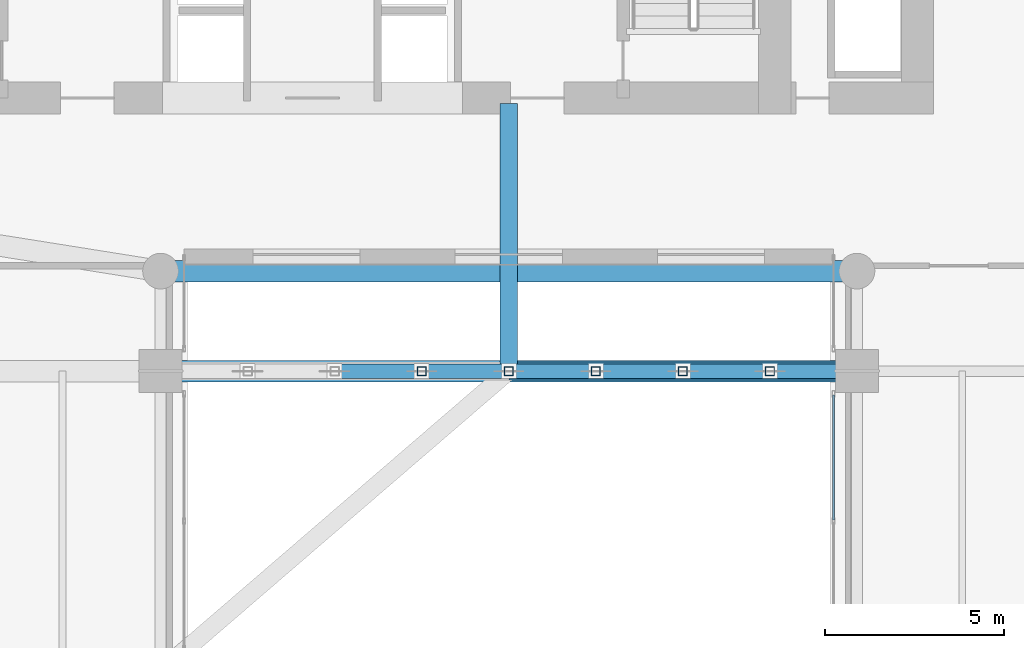
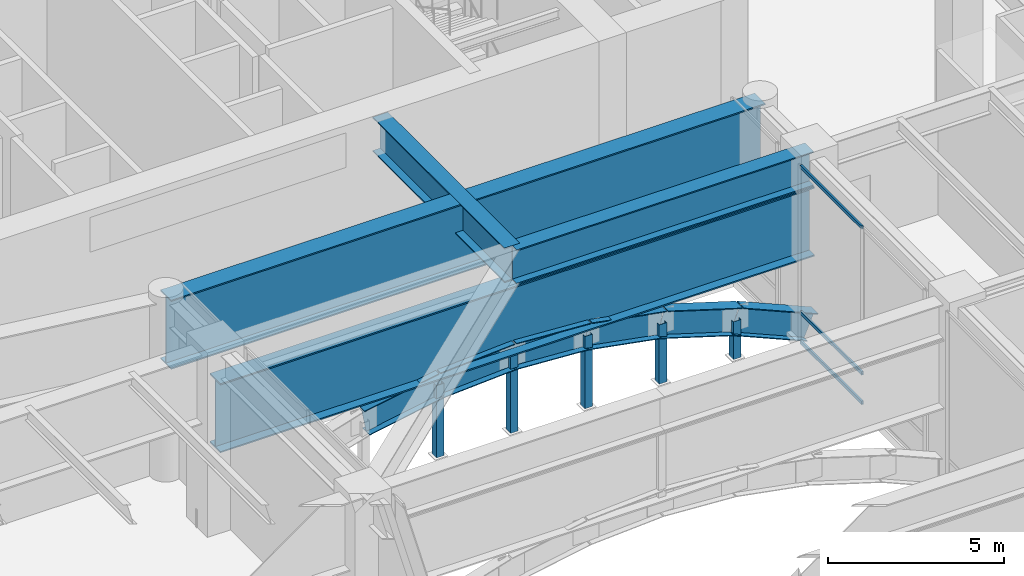
# One storey, part 25 of 50: 10 beams, 8 members, 1 element without a shape of its own.
"""IFC4 building model written with IfcOpenShell, lengths in metres."""

from ifc_helpers import new_model, si_unit, direction, frame, origin, origin_2d, place, context, subcontext, project, spatial, hollow_rectangle, i_section, extrude, source, transform, mapped, material, layer, layer_set, material_profile, profile_set, type_object, type_shapes, element, aggregate, save


model = new_model("IFC4")

# Units and contexts
model_context = context("Model", 3, precision=1e-05, world=origin(), true_north=direction((0.0, 1.0)))
body_context = subcontext(model_context, "Body", "Model", "MODEL_VIEW")
ifc_project = project(units=[si_unit("LENGTHUNIT", "METRE"), si_unit("AREAUNIT", "SQUARE_METRE"), si_unit("VOLUMEUNIT", "CUBIC_METRE"), si_unit("PLANEANGLEUNIT", "RADIAN"), si_unit("MASSUNIT", "GRAM", prefix="KILO")], contexts=[model_context])

# Site, building, storey
site_placement = place(None, origin())
site = spatial("IfcSite", under=ifc_project, at=site_placement, CompositionType="ELEMENT")
building_placement = place(site_placement, origin())
building = spatial("IfcBuilding", under=site, at=building_placement, Name="Tolvann Quenvar Hotel", CompositionType="ELEMENT")
storey_placement = place(building_placement, frame((0.0, 0.0, 16.0)))
storey = spatial("IfcBuildingStorey", under=building, at=storey_placement, Name="L03", CompositionType="ELEMENT", Elevation=16.0)

# Beams
ifc_material_1 = material(Name="Steel Grade 350", Category="steel")
ifc_material_profile_1 = material_profile(ifc_material_1, i_section(OverallWidth=0.5, OverallDepth=1.199951171875, WebThickness=0.01611328125, FlangeThickness=0.0400390625, at=origin_2d()), Name="1200WB455")
ifc_profile_set_1 = profile_set([ifc_material_profile_1], Name="Steel Grade 350")
beam_type_1 = type_object("IfcBeamType", Name="BM_TG_1200WB455", PredefinedType="USERDEFINED", material=ifc_profile_set_1)
shared_shape_1 = source(origin(), body_context, "Body", "SweptSolid", [
    extrude(i_section(OverallWidth=0.5, OverallDepth=1.199951171875, WebThickness=0.01611328125, FlangeThickness=0.0400390625, at=origin_2d()), origin(), (0.0, 0.0, 1.0), 9.75),
])
beam_1_placement = place(storey_placement, frame((28.5, 24.39990234375, 5.5400390625), z_axis=(1.0, 0.0, 0.0), x_axis=(0.0, 1.0, 0.0)))
element("IfcBeam", 1, at=beam_1_placement, inside=storey, type_object=beam_type_1, Name="BM-L03-ATIE-4B", ObjectType="TRANSFER GIRDER", PredefinedType="USERDEFINED", context=body_context, shape_type="MappedRepresentation", body=[
    mapped(shared_shape_1, transform((0.0, 0.0, 0.0), x_axis=(1.0, 0.0, 0.0), y_axis=(0.0, 1.0, 0.0), z_axis=(0.0, 0.0, 1.0), scale=1.0)),
])
ifc_material_profile_2 = material_profile(ifc_material_1, i_section(OverallWidth=0.60009765625, OverallDepth=2.39990234375, WebThickness=0.02001953125, FlangeThickness=0.044921875, at=origin_2d()), Name="2400WB655")
ifc_profile_set_2 = profile_set([ifc_material_profile_2], Name="Steel Grade 350")
beam_type_2 = type_object("IfcBeamType", Name="BM_TG_2400WB655", PredefinedType="USERDEFINED", material=ifc_profile_set_2)
shared_shape_2 = source(origin(), body_context, "Body", "SweptSolid", [
    extrude(i_section(OverallWidth=0.60009765625, OverallDepth=2.39990234375, WebThickness=0.02001953125, FlangeThickness=0.044921875, at=origin_2d()), origin(), (0.0, 0.0, 1.0), 19.5),
])
type_shapes(beam_type_2, [shared_shape_2])
for number, where, z_axis, x_axis, name in (
    (2, (18.75, 24.39990234375, 3.739990234375), (1.0, 0.0, 0.0), (0.0, 1.0, 0.0), "BM-L03-ACAR-4"),
    (3, (18.75, 27.199951171875, 4.93994140625), (1.0, 0.0, 0.0), (0.0, 1.0, 0.0), "BM-L03-ATIE-5"),
):
    element("IfcBeam", number, at=place(storey_placement, frame(where, z_axis=z_axis, x_axis=x_axis)), inside=storey, type_object=beam_type_2, Name=name, ObjectType="TRANSFER GIRDER", PredefinedType="USERDEFINED", context=body_context, shape_type="MappedRepresentation", body=[
        mapped(shared_shape_2, transform((0.0, 0.0, 0.0), x_axis=(1.0, 0.0, 0.0), y_axis=(0.0, 1.0, 0.0), z_axis=(0.0, 0.0, 1.0), scale=1.0)),
    ])
shared_shape_3 = source(origin(), body_context, "Body", "SweptSolid", [
    extrude(i_section(OverallWidth=0.5, OverallDepth=1.199951171875, WebThickness=0.01611328125, FlangeThickness=0.0400390625, at=origin_2d()), origin(), (0.0, 0.0, 1.0), 7.5),
])
type_shapes(beam_type_1, [shared_shape_1, shared_shape_3])
beam_2_placement = place(storey_placement, frame((28.5, 31.89990234375, 5.5400390625), z_axis=(0.0, -1.0, 0.0), x_axis=(1.0, 0.0, 0.0)))
element("IfcBeam", 4, at=beam_2_placement, inside=storey, type_object=beam_type_1, Name="TG-AUTO1-L03-PARCHM-4", ObjectType="TRANSFER GIRDER", PredefinedType="USERDEFINED", context=body_context, shape_type="MappedRepresentation", body=[
    mapped(shared_shape_3, transform((0.0, 0.0, 0.0), x_axis=(1.0, 0.0, 0.0), y_axis=(0.0, 1.0, 0.0), z_axis=(0.0, 0.0, 1.0), scale=1.0)),
])
ifc_material_profile_3 = material_profile(ifc_material_1, i_section(OverallWidth=0.39990234375, OverallDepth=0.916015625, WebThickness=0.011962890625, FlangeThickness=0.028076171875, at=origin_2d()), Name="900WB257")
ifc_profile_set_3 = profile_set([ifc_material_profile_3], Name="Steel Grade 350")
beam_type_3 = type_object("IfcBeamType", Name="BM_ARCH_900WB257", PredefinedType="USERDEFINED", material=ifc_profile_set_3)
shared_shape_4 = source(origin(), body_context, "Body", "SweptSolid", [
    extrude(i_section(OverallWidth=0.39990234375, OverallDepth=0.916015625, WebThickness=0.011962890625, FlangeThickness=0.028076171875, at=origin_2d()), origin(), (0.0, 0.0, 1.0), 2.654052734375),
])
beam_3_placement = place(storey_placement, frame((35.8125, 24.39990234375, 1.050048828125), z_axis=(0.918405931002, 0.0, -0.395639413987), x_axis=(0.0, 1.0, 0.0)))
element("IfcBeam", 5, at=beam_3_placement, inside=storey, type_object=beam_type_3, Name="Podium Parabolic Arch Rib F4-S8", ObjectType="ARCH RIB", PredefinedType="USERDEFINED", context=body_context, shape_type="MappedRepresentation", body=[
    mapped(shared_shape_4, transform((0.0, 0.0, 0.0), x_axis=(1.0, 0.0, 0.0), y_axis=(0.0, 1.0, 0.0), z_axis=(0.0, 0.0, 1.0), scale=1.0)),
])
shared_shape_5 = source(origin(), body_context, "Body", "SweptSolid", [
    extrude(i_section(OverallWidth=0.39990234375, OverallDepth=0.916015625, WebThickness=0.011962890625, FlangeThickness=0.028076171875, at=origin_2d()), origin(), (0.0, 0.0, 1.0), 2.55029296875),
])
beam_4_placement = place(storey_placement, frame((33.375, 24.39990234375, 1.800048828125), z_axis=(0.955779008722, 0.0, -0.294085848838), x_axis=(0.0, 1.0, 0.0)))
element("IfcBeam", 6, at=beam_4_placement, inside=storey, type_object=beam_type_3, Name="Podium Parabolic Arch Rib F4-S7", ObjectType="ARCH RIB", PredefinedType="USERDEFINED", context=body_context, shape_type="MappedRepresentation", body=[
    mapped(shared_shape_5, transform((0.0, 0.0, 0.0), x_axis=(1.0, 0.0, 0.0), y_axis=(0.0, 1.0, 0.0), z_axis=(0.0, 0.0, 1.0), scale=1.0)),
])
shared_shape_6 = source(origin(), body_context, "Body", "SweptSolid", [
    extrude(i_section(OverallWidth=0.39990234375, OverallDepth=0.916015625, WebThickness=0.011962890625, FlangeThickness=0.028076171875, at=origin_2d()), origin(), (0.0, 0.0, 1.0), 2.478759765625),
])
for number, where, z_axis, x_axis, name in (
    (7, (23.625, 24.39990234375, 1.800048828125), (0.983385697118, 0.0, 0.181528429466), (0.0, 1.0, 0.0), "Podium Parabolic Arch Rib F4-S3"),
    (8, (30.9375, 24.39990234375, 2.25), (0.983385697118, 0.0, -0.181528429466), (0.0, 1.0, 0.0), "Podium Parabolic Arch Rib F4-S6"),
):
    element("IfcBeam", number, at=place(storey_placement, frame(where, z_axis=z_axis, x_axis=x_axis)), inside=storey, type_object=beam_type_3, Name=name, ObjectType="ARCH RIB", PredefinedType="USERDEFINED", context=body_context, shape_type="MappedRepresentation", body=[
        mapped(shared_shape_6, transform((0.0, 0.0, 0.0), x_axis=(1.0, 0.0, 0.0), y_axis=(0.0, 1.0, 0.0), z_axis=(0.0, 0.0, 1.0), scale=1.0)),
    ])
shared_shape_7 = source(origin(), body_context, "Body", "SweptSolid", [
    extrude(i_section(OverallWidth=0.39990234375, OverallDepth=0.916015625, WebThickness=0.011962890625, FlangeThickness=0.028076171875, at=origin_2d()), origin(), (0.0, 0.0, 1.0), 2.442138671875),
])
type_shapes(beam_type_3, [shared_shape_4, shared_shape_5, shared_shape_6, shared_shape_7])
for number, where, z_axis, x_axis, name in (
    (9, (26.0625, 24.39990234375, 2.25), (0.998114320678, 0.0, 0.06138243118), (0.0, 1.0, 0.0), "Podium Parabolic Arch Rib F4-S4"),
    (10, (28.5, 24.39990234375, 2.39990234375), (0.998114320678, 0.0, -0.06138243118), (0.0, 1.0, 0.0), "Podium Parabolic Arch Rib F4-S5"),
):
    element("IfcBeam", number, at=place(storey_placement, frame(where, z_axis=z_axis, x_axis=x_axis)), inside=storey, type_object=beam_type_3, Name=name, ObjectType="ARCH RIB", PredefinedType="USERDEFINED", context=body_context, shape_type="MappedRepresentation", body=[
        mapped(shared_shape_7, transform((0.0, 0.0, 0.0), x_axis=(1.0, 0.0, 0.0), y_axis=(0.0, 1.0, 0.0), z_axis=(0.0, 0.0, 1.0), scale=1.0)),
    ])

# Members
ifc_material_2 = material(Name="Steel Grade 450 (C450L0)", Category="steel")
ifc_material_profile_4 = material_profile(ifc_material_2, hollow_rectangle(XDim=0.25, YDim=0.25, WallThickness=0.010009765625, at=origin_2d()), Name="250x250x10SHS")
ifc_profile_set_4 = profile_set([ifc_material_profile_4], Name="Steel Grade 450 (C450L0)")
member_type_1 = type_object("IfcMemberType", Name="MEM_POST_250SHS", PredefinedType="POST", material=ifc_profile_set_4)
shared_shape_8 = source(origin(), body_context, "Body", "SweptSolid", [
    extrude(hollow_rectangle(XDim=0.25, YDim=0.25, WallThickness=0.010009765625, at=origin_2d()), origin(), (0.0, 0.0, 1.0), 1.31005859375),
])
member_1_placement = place(storey_placement, frame((35.8125, 24.39990234375, -0.260009765625), z_axis=(0.0, 0.0, 1.0), x_axis=(1.0, 0.0, 0.0)))
element("IfcMember", 11, at=member_1_placement, inside=storey, type_object=member_type_1, Name="Arch Spandrel Pedestal Post F4-B7", PredefinedType="POST", context=body_context, shape_type="MappedRepresentation", body=[
    mapped(shared_shape_8, transform((0.0, 0.0, 0.0), x_axis=(1.0, 0.0, 0.0), y_axis=(0.0, 1.0, 0.0), z_axis=(0.0, 0.0, 1.0), scale=1.0)),
])
shared_shape_9 = source(origin(), body_context, "Body", "SweptSolid", [
    extrude(hollow_rectangle(XDim=0.25, YDim=0.25, WallThickness=0.010009765625, at=origin_2d()), origin(), (0.0, 0.0, 1.0), 2.06005859375),
])
member_2_placement = place(storey_placement, frame((33.375, 24.39990234375, -0.260009765625), z_axis=(0.0, 0.0, 1.0), x_axis=(1.0, 0.0, 0.0)))
element("IfcMember", 12, at=member_2_placement, inside=storey, type_object=member_type_1, Name="Arch Spandrel Pedestal Post F4-B6", PredefinedType="POST", context=body_context, shape_type="MappedRepresentation", body=[
    mapped(shared_shape_9, transform((0.0, 0.0, 0.0), x_axis=(1.0, 0.0, 0.0), y_axis=(0.0, 1.0, 0.0), z_axis=(0.0, 0.0, 1.0), scale=1.0)),
])
shared_shape_10 = source(origin(), body_context, "Body", "SweptSolid", [
    extrude(hollow_rectangle(XDim=0.25, YDim=0.25, WallThickness=0.010009765625, at=origin_2d()), origin(), (0.0, 0.0, 1.0), 2.510009765625),
])
for number, where, z_axis, x_axis, name in (
    (13, (26.0625, 24.39990234375, -0.260009765625), (0.0, 0.0, 1.0), (1.0, 0.0, 0.0), "Arch Spandrel Pedestal Post F4-B3"),
    (14, (30.9375, 24.39990234375, -0.260009765625), (0.0, 0.0, 1.0), (1.0, 0.0, 0.0), "Arch Spandrel Pedestal Post F4-B5"),
):
    element("IfcMember", number, at=place(storey_placement, frame(where, z_axis=z_axis, x_axis=x_axis)), inside=storey, type_object=member_type_1, Name=name, PredefinedType="POST", context=body_context, shape_type="MappedRepresentation", body=[
        mapped(shared_shape_10, transform((0.0, 0.0, 0.0), x_axis=(1.0, 0.0, 0.0), y_axis=(0.0, 1.0, 0.0), z_axis=(0.0, 0.0, 1.0), scale=1.0)),
    ])
shared_shape_11 = source(origin(), body_context, "Body", "SweptSolid", [
    extrude(hollow_rectangle(XDim=0.25, YDim=0.25, WallThickness=0.010009765625, at=origin_2d()), origin(), (0.0, 0.0, 1.0), 2.659912109375),
])
type_shapes(member_type_1, [shared_shape_8, shared_shape_9, shared_shape_10, shared_shape_11])
member_3_placement = place(storey_placement, frame((28.5, 24.39990234375, -0.260009765625), z_axis=(0.0, 0.0, 1.0), x_axis=(1.0, 0.0, 0.0)))
element("IfcMember", 15, at=member_3_placement, inside=storey, type_object=member_type_1, Name="Arch Spandrel Pedestal Post F4-B4", PredefinedType="POST", context=body_context, shape_type="MappedRepresentation", body=[
    mapped(shared_shape_11, transform((0.0, 0.0, 0.0), x_axis=(1.0, 0.0, 0.0), y_axis=(0.0, 1.0, 0.0), z_axis=(0.0, 0.0, 1.0), scale=1.0)),
])

# Curtain wall, members
ifc_material_3 = material(Name="Thermally broken anodised architectural aluminium 6063-T6 and laminated low-E glass", Category="aluminium")
ifc_layer = layer(ifc_material_3, 0.179931640625)
ifc_layer_set = layer_set([ifc_layer], Name="Thermally broken anodised architectural aluminium 6063-T6 and laminated low-E glass")
curtain_wall_type = type_object("IfcCurtainWallType", Name="CW_SYS_ARCH_01", PredefinedType="USERDEFINED", material=ifc_layer_set)
curtain_wall_placement = place(storey_placement, origin())
curtain_wall = element("IfcCurtainWall", 16, at=curtain_wall_placement, inside=storey, type_object=curtain_wall_type, Name="Curtain Wall CW-ARCH-01 (CWR-L03-E03-S2)", ObjectType="UNITISED CURTAIN WALL", PredefinedType="USERDEFINED")
ifc_material_4 = material(Name="Anodised architectural aluminium 6063-T6 framing", Category="aluminium")
ifc_material_profile_5 = material_profile(ifc_material_4, hollow_rectangle(XDim=0.06005859375, YDim=0.1201171875, WallThickness=0.00341796875, at=origin_2d()), Name="120x60x3.5RHS")
ifc_profile_set_5 = profile_set([ifc_material_profile_5], Name="Anodised architectural aluminium 6063-T6 framing")
member_type_2 = type_object("IfcMemberType", Name="CW_TRAN_120x60", PredefinedType="USERDEFINED", material=ifc_profile_set_5)
shared_shape_12 = source(origin(), body_context, "Body", "SweptSolid", [
    extrude(hollow_rectangle(XDim=0.06005859375, YDim=0.1201171875, WallThickness=0.00341796875, at=origin_2d()), origin(), (0.0, 0.0, 1.0), 3.490966796875),
])
type_shapes(member_type_2, [shared_shape_12])
member_4_placement = place(storey_placement, frame((37.590087890625, 23.72607421875, 0.030029296875), z_axis=(0.0, -1.0, 0.0), x_axis=(1.0, 0.0, 0.0)))
member_4 = element("IfcMember", 17, at=member_4_placement, type_object=member_type_2, Name="CW-ARCH-01 transom 1.1", ObjectType="TRANSOM", PredefinedType="USERDEFINED", context=body_context, shape_type="MappedRepresentation", body=[
    mapped(shared_shape_12, transform((0.0, 0.0, 0.0), x_axis=(1.0, 0.0, 0.0), y_axis=(0.0, 1.0, 0.0), z_axis=(0.0, 0.0, 1.0), scale=1.0)),
])
member_5_placement = place(storey_placement, frame((37.590087890625, 23.72607421875, 1.050048828125), z_axis=(0.0, -1.0, 0.0), x_axis=(1.0, 0.0, 0.0)))
member_5 = element("IfcMember", 18, at=member_5_placement, type_object=member_type_2, Name="CW-ARCH-01 transom 1.2", ObjectType="TRANSOM", PredefinedType="USERDEFINED", context=body_context, shape_type="MappedRepresentation", body=[
    mapped(shared_shape_12, transform((0.0, 0.0, 0.0), x_axis=(1.0, 0.0, 0.0), y_axis=(0.0, 1.0, 0.0), z_axis=(0.0, 0.0, 1.0), scale=1.0)),
])
member_6_placement = place(storey_placement, frame((37.590087890625, 23.72607421875, 6.110107421875), z_axis=(0.0, -1.0, 0.0), x_axis=(1.0, 0.0, 0.0)))
member_6 = element("IfcMember", 19, at=member_6_placement, type_object=member_type_2, Name="CW-ARCH-01 transom 1.3", ObjectType="TRANSOM", PredefinedType="USERDEFINED", context=body_context, shape_type="MappedRepresentation", body=[
    mapped(shared_shape_12, transform((0.0, 0.0, 0.0), x_axis=(1.0, 0.0, 0.0), y_axis=(0.0, 1.0, 0.0), z_axis=(0.0, 0.0, 1.0), scale=1.0)),
])
aggregate(curtain_wall, [member_4, member_5, member_6])

save(model, "model.ifc")
